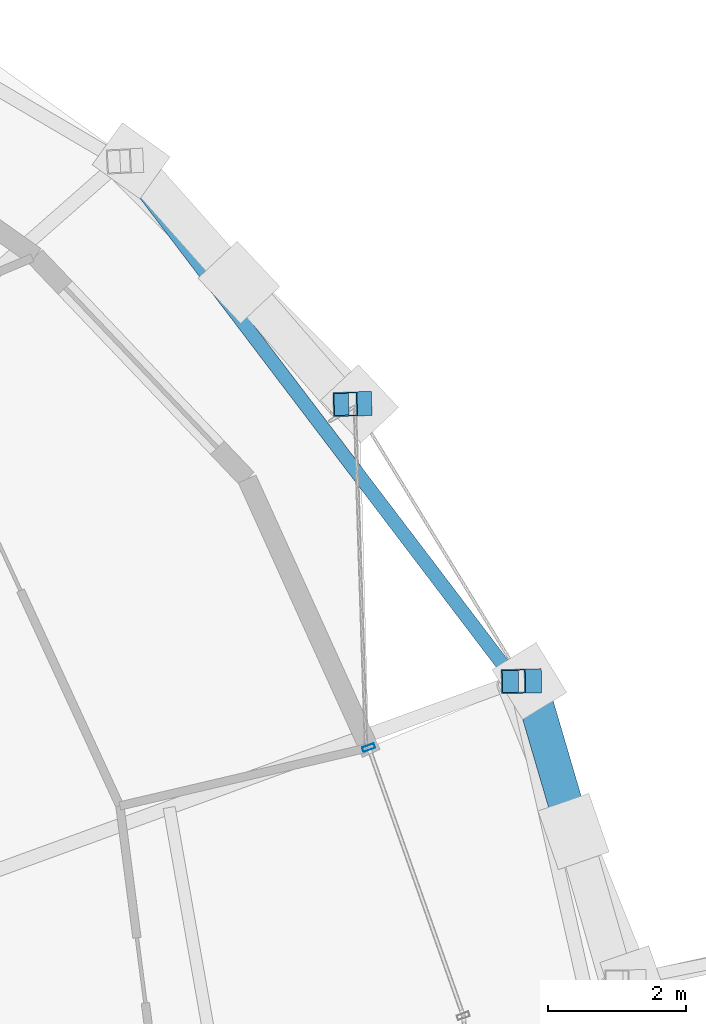
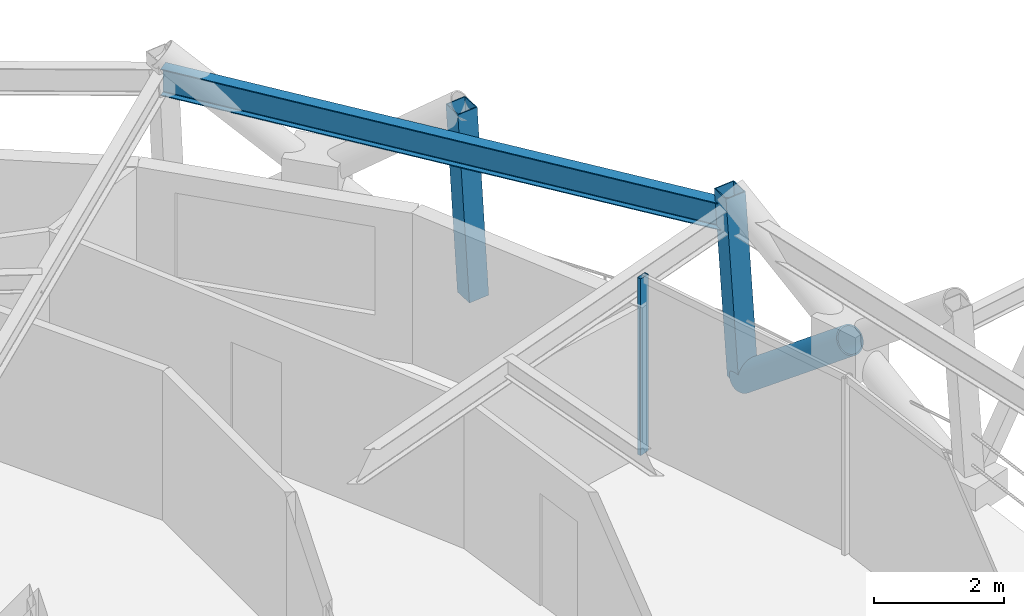
# One storey, part 10 of 17: 4 members, 1 beam, 1 element without a shape of its own.
"""IFC4 building model written with IfcOpenShell, lengths in metres."""

from ifc_helpers import new_model, si_unit, direction, frame, origin, origin_2d, place, context, subcontext, project, spatial, hollow_rectangle, hollow_circle, i_section, extrude, material, layer, layer_set, material_profile, profile_set, type_object, element, aggregate, save


model = new_model("IFC4")

# Units and contexts
model_context = context("Model", 3, precision=1e-05, world=origin(), true_north=direction((0.0, 1.0)))
body_context = subcontext(model_context, "Body", "Model", "MODEL_VIEW")
ifc_project = project(units=[si_unit("LENGTHUNIT", "METRE"), si_unit("AREAUNIT", "SQUARE_METRE"), si_unit("VOLUMEUNIT", "CUBIC_METRE"), si_unit("PLANEANGLEUNIT", "RADIAN"), si_unit("MASSUNIT", "GRAM", prefix="KILO")], contexts=[model_context])

# Site, building, storey
site_placement = place(None, origin())
site = spatial("IfcSite", under=ifc_project, at=site_placement, CompositionType="ELEMENT")
building_placement = place(site_placement, origin())
building = spatial("IfcBuilding", under=site, at=building_placement, Name="Veldorina Hangang Commons", CompositionType="ELEMENT")
storey_placement = place(building_placement, frame((0.0, 0.0, 196.39990234375)))
storey = spatial("IfcBuildingStorey", under=building, at=storey_placement, Name="L51", CompositionType="ELEMENT", Elevation=196.39990234375)

# Beam
ifc_material_1 = material(Name="Steel SM420-TMC", Category="steel")
ifc_material_profile_1 = material_profile(ifc_material_1, i_section(OverallWidth=0.199951171875, OverallDepth=0.5, WebThickness=0.010009765625, FlangeThickness=0.01611328125, FilletRadius=0.01611328125, at=origin_2d()), Name="H-500x200x10x16")
ifc_profile_set_1 = profile_set([ifc_material_profile_1], Name="Steel SM420-TMC")
beam_type = type_object("IfcBeamType", Name="BM-RB500", PredefinedType="BEAM", material=ifc_profile_set_1)
beam_placement = place(storey_placement, frame((56.38623046875, 32.884765625, 3.10009765625), z_axis=(-0.604923575038, 0.796283535158, 0.0), x_axis=(-0.796283535158, -0.604923575038, 0.0)))
element("IfcBeam", 1, at=beam_placement, inside=storey, type_object=beam_type, Name="L51 perimeter hoop ring beam 02", PredefinedType="BEAM", context=body_context, shape_type="SweptSolid", body=[
    extrude(i_section(OverallWidth=0.199951171875, OverallDepth=0.5, WebThickness=0.010009765625, FlangeThickness=0.01611328125, FilletRadius=0.01611328125, at=origin_2d()), origin(), (0.0, 0.0, 1.0), 9.458984375),
])

# Curtain wall, member
ifc_material_2 = material(Name="Glass Low-E Triple IGU", Category="glass")
ifc_layer = layer(ifc_material_2, 0.179931640625)
ifc_layer_set = layer_set([ifc_layer], Name="Glass Low-E Triple IGU")
curtain_wall_type = type_object("IfcCurtainWallType", Name="CW-SYS-Z2", PredefinedType="NOTDEFINED", material=ifc_layer_set)
curtain_wall_placement = place(storey_placement, origin())
curtain_wall = element("IfcCurtainWall", 2, at=curtain_wall_placement, inside=storey, type_object=curtain_wall_type, Name="L51 unitised curtain wall CW-L51-R2", PredefinedType="NOTDEFINED")
ifc_material_3 = material(Name="Aluminium Anodized AA6063-T6", Category="aluminium")
ifc_material_profile_2 = material_profile(ifc_material_3, hollow_rectangle(XDim=0.070068359375, YDim=0.179931640625, WallThickness=0.00390625, at=origin_2d()), Name="ALU-RHS-180x70x4")
ifc_profile_set_2 = profile_set([ifc_material_profile_2], Name="Aluminium Anodized AA6063-T6")
member_type_1 = type_object("IfcMemberType", Name="CW-MUL-180", PredefinedType="MULLION", material=ifc_profile_set_2)
member_1_placement = place(storey_placement, frame((54.258056640625, 31.92431640625, 0.0), z_axis=(0.0, 0.0, 1.0), x_axis=(0.332819544523, -0.942990535893, 0.0)))
member_1 = element("IfcMember", 3, at=member_1_placement, type_object=member_type_1, Name="CW-L51-R2 vertical mullion 5", PredefinedType="MULLION", context=body_context, shape_type="SweptSolid", body=[
    extrude(hollow_rectangle(XDim=0.070068359375, YDim=0.179931640625, WallThickness=0.00390625, at=origin_2d()), origin(), (0.0, 0.0, 1.0), 3.31005859375),
])
aggregate(curtain_wall, [member_1])

# Members
ifc_material_profile_3 = material_profile(ifc_material_1, hollow_circle(Radius=0.25, WallThickness=0.02490234375, at=origin_2d()), Name="CHS-500x25")
ifc_profile_set_3 = profile_set([ifc_material_profile_3], Name="Steel SM420-TMC")
member_type_2 = type_object("IfcMemberType", Name="DG-CHS500", PredefinedType="BRACE", material=ifc_profile_set_3)
member_2_placement = place(storey_placement, frame((56.586181640625, 32.888671875, 0.0), z_axis=(0.220893906281, -0.751696152291, 0.621416749693), x_axis=(0.959432226434, 0.281939360289, 0.0)))
element("IfcMember", 4, at=member_2_placement, inside=storey, type_object=member_type_2, Name="L51 split perimeter diagrid lower brace 02", PredefinedType="BRACE", context=body_context, shape_type="SweptSolid", body=[
    extrude(hollow_circle(Radius=0.25, WallThickness=0.02490234375, at=origin_2d()), origin(), (0.0, 0.0, 1.0), 2.89892578125),
])
ifc_material_4 = material(Name="Steel SM355-TMC", Category="steel")
ifc_material_profile_4 = material_profile(ifc_material_4, hollow_rectangle(XDim=0.35009765625, YDim=0.35009765625, WallThickness=0.01611328125, at=origin_2d()), Name="SHS-350x350x16")
ifc_profile_set_4 = profile_set([ifc_material_profile_4], Name="Steel SM355-TMC")
member_type_3 = type_object("IfcMemberType", Name="STR-SHS350", PredefinedType="STRUT", material=ifc_profile_set_4)
member_3_placement = place(storey_placement, frame((56.586181640625, 32.888671875, 0.0), z_axis=(-0.064358310815, -0.001285812729, 0.997926026574), x_axis=(0.019974983304, -0.999800480117, 0.0)))
element("IfcMember", 5, at=member_3_placement, inside=storey, type_object=member_type_3, Name="L51 perimeter ring node post 02", PredefinedType="STRUT", context=body_context, shape_type="SweptSolid", body=[
    extrude(hollow_rectangle(XDim=0.35009765625, YDim=0.35009765625, WallThickness=0.01611328125, at=origin_2d()), origin(), (0.0, 0.0, 1.0), 3.607666015625),
])
member_4_placement = place(storey_placement, frame((54.126953125, 36.904296875, 0.0), z_axis=(-0.057951983558, -0.001827924715, 0.998317698077), x_axis=(0.031526377157, -0.999502920228, 0.0)))
element("IfcMember", 6, at=member_4_placement, inside=storey, type_object=member_type_3, Name="L51 perimeter ring node post 03", PredefinedType="STRUT", context=body_context, shape_type="SweptSolid", body=[
    extrude(hollow_rectangle(XDim=0.35009765625, YDim=0.35009765625, WallThickness=0.01611328125, at=origin_2d()), origin(), (0.0, 0.0, 1.0), 3.606201171875),
])

save(model, "model.ifc")
